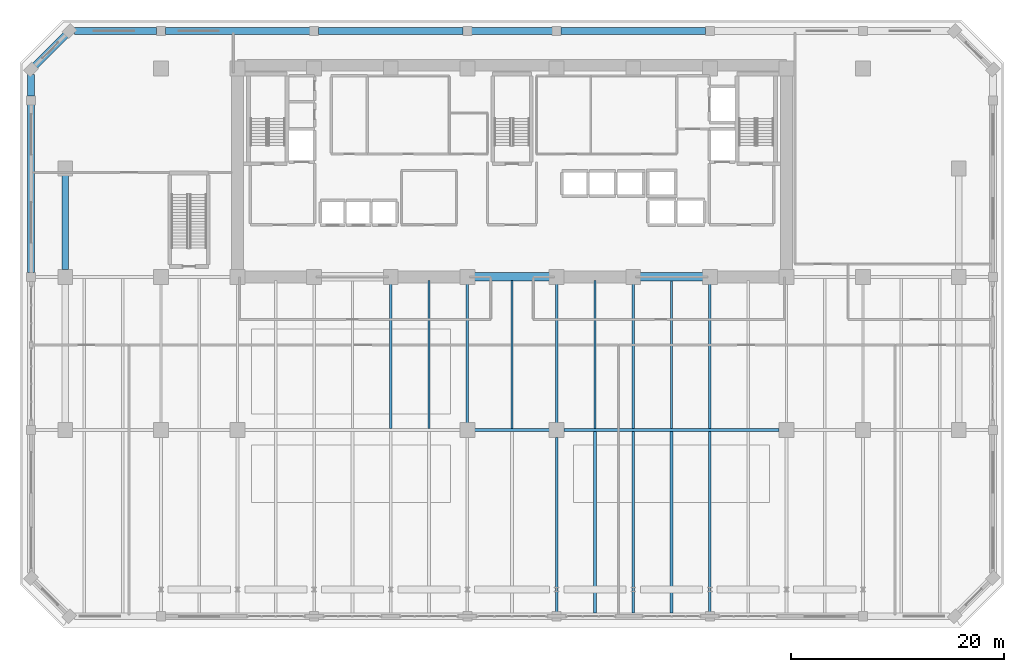
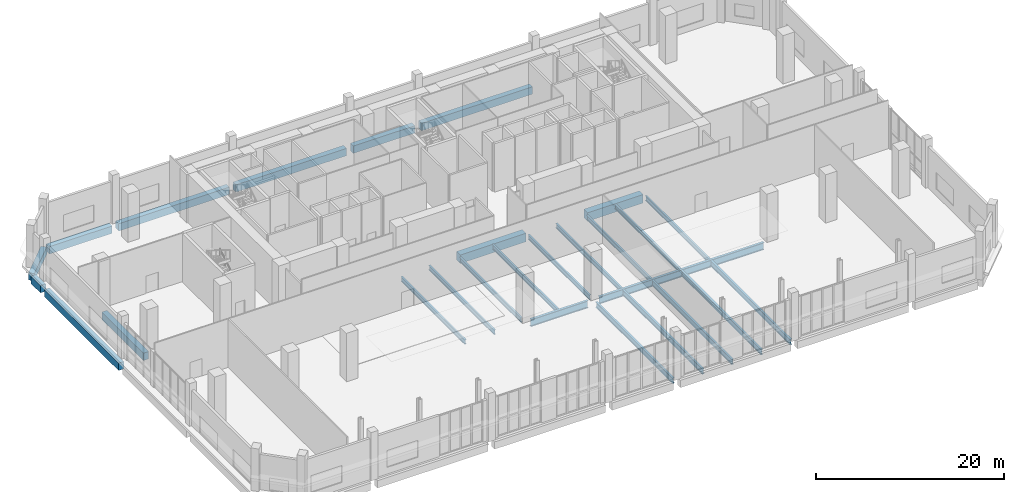
# One storey, part 15 of 29: 27 beams.
"""IFC4 building model written with IfcOpenShell, lengths in metres."""

from ifc_helpers import new_model, si_unit, direction, frame, origin, origin_2d, place, context, subcontext, project, spatial, rectangle, i_section, extrude, material, material_profile, profile_set, type_object, element, save


model = new_model("IFC4")

# Units and contexts
model_context = context("Model", 3, precision=1e-05, world=origin(), true_north=direction((0.0, 1.0)))
body_context = subcontext(model_context, "Body", "Model", "MODEL_VIEW")
ifc_project = project(units=[si_unit("LENGTHUNIT", "METRE"), si_unit("AREAUNIT", "SQUARE_METRE"), si_unit("VOLUMEUNIT", "CUBIC_METRE"), si_unit("PLANEANGLEUNIT", "RADIAN"), si_unit("MASSUNIT", "GRAM", prefix="KILO")], contexts=[model_context])

# Site, building, storey
site_placement = place(None, origin())
site = spatial("IfcSite", under=ifc_project, at=site_placement, CompositionType="ELEMENT")
building_placement = place(site_placement, origin())
building = spatial("IfcBuilding", under=site, at=building_placement, Name="Kaelvorn Grand Hotel", CompositionType="ELEMENT")
storey_placement = place(building_placement, frame((0.0, 0.0, 19.39990234375)))
storey = spatial("IfcBuildingStorey", under=building, at=storey_placement, Name="L03", CompositionType="ELEMENT", Elevation=19.39990234375)

# Beams
ifc_material_1 = material(Name="Steel S355", Category="steel")
ifc_material_profile_1 = material_profile(ifc_material_1, i_section(OverallWidth=0.305419921875, OverallDepth=0.91845703125, WebThickness=0.017333984375, FlangeThickness=0.02783203125, FilletRadius=0.01904296875, at=origin_2d()), Name="UB 914x305x253")
ifc_profile_set_1 = profile_set([ifc_material_profile_1], Name="Steel S355")
beam_type_1 = type_object("IfcBeamType", Name="BM-G-UB914-S355", PredefinedType="BEAM", material=ifc_profile_set_1)
beam_1_placement = place(storey_placement, frame((38.485107421875, 15.0, -0.779052734375), z_axis=(1.0, 0.0, 0.0), x_axis=(0.0, 1.0, 0.0)))
element("IfcBeam", 1, at=beam_1_placement, inside=storey, type_object=beam_type_1, Name="L03 Primary Spine Steel Girder G-15 05", PredefinedType="BEAM", context=body_context, shape_type="SweptSolid", body=[
    extrude(i_section(OverallWidth=0.305419921875, OverallDepth=0.91845703125, WebThickness=0.017333984375, FlangeThickness=0.02783203125, FilletRadius=0.01904296875, at=origin_2d()), origin(), (0.0, 0.0, 1.0), 7.02978515625),
])
beam_2_placement = place(storey_placement, frame((46.885009765625, 15.0, -0.779052734375), z_axis=(1.0, 0.0, 0.0), x_axis=(0.0, 1.0, 0.0)))
element("IfcBeam", 2, at=beam_2_placement, inside=storey, type_object=beam_type_1, Name="L03 Primary Spine Steel Girder G-15 06", PredefinedType="BEAM", context=body_context, shape_type="SweptSolid", body=[
    extrude(i_section(OverallWidth=0.305419921875, OverallDepth=0.91845703125, WebThickness=0.017333984375, FlangeThickness=0.02783203125, FilletRadius=0.01904296875, at=origin_2d()), origin(), (0.0, 0.0, 1.0), 20.22998046875),
])
ifc_material_profile_2 = material_profile(ifc_material_1, i_section(OverallWidth=0.219970703125, OverallDepth=0.60009765625, WebThickness=0.011962890625, FlangeThickness=0.01904296875, FilletRadius=0.02392578125, at=origin_2d()), Name="IPE 600")
ifc_profile_set_2 = profile_set([ifc_material_profile_2], Name="Steel S355")
beam_type_2 = type_object("IfcBeamType", Name="BM-J-IPE600-S355", PredefinedType="JOIST", material=ifc_profile_set_2)
beam_3_placement = place(storey_placement, frame((30.60009765625, 15.1376953125, -0.619873046875), z_axis=(0.0, 1.0, 0.0), x_axis=(-1.0, 0.0, 0.0)))
element("IfcBeam", 3, at=beam_3_placement, inside=storey, type_object=beam_type_2, Name="L03 Composite Floor Joist JM-09", PredefinedType="JOIST", context=body_context, shape_type="SweptSolid", body=[
    extrude(i_section(OverallWidth=0.219970703125, OverallDepth=0.60009765625, WebThickness=0.011962890625, FlangeThickness=0.01904296875, FilletRadius=0.02392578125, at=origin_2d()), origin(), (0.0, 0.0, 1.0), 13.577392578125),
])
beam_4_placement = place(storey_placement, frame((34.199951171875, 15.1376953125, -0.619873046875), z_axis=(0.0, 1.0, 0.0), x_axis=(-1.0, 0.0, 0.0)))
element("IfcBeam", 4, at=beam_4_placement, inside=storey, type_object=beam_type_2, Name="L03 Composite Floor Joist JM-10", PredefinedType="JOIST", context=body_context, shape_type="SweptSolid", body=[
    extrude(i_section(OverallWidth=0.219970703125, OverallDepth=0.60009765625, WebThickness=0.011962890625, FlangeThickness=0.01904296875, FilletRadius=0.02392578125, at=origin_2d()), origin(), (0.0, 0.0, 1.0), 13.92236328125),
])
beam_5_placement = place(storey_placement, frame((37.800048828125, 15.68505859375, -0.619873046875), z_axis=(0.0, 1.0, 0.0), x_axis=(-1.0, 0.0, 0.0)))
element("IfcBeam", 5, at=beam_5_placement, inside=storey, type_object=beam_type_2, Name="L03 Composite Floor Joist JM-11", PredefinedType="JOIST", context=body_context, shape_type="SweptSolid", body=[
    extrude(i_section(OverallWidth=0.219970703125, OverallDepth=0.60009765625, WebThickness=0.011962890625, FlangeThickness=0.01904296875, FilletRadius=0.02392578125, at=origin_2d()), origin(), (0.0, 0.0, 1.0), 13.030029296875),
])
beam_6_placement = place(storey_placement, frame((42.0, 15.1376953125, -0.619873046875), z_axis=(0.0, 1.0, 0.0), x_axis=(-1.0, 0.0, 0.0)))
element("IfcBeam", 6, at=beam_6_placement, inside=storey, type_object=beam_type_2, Name="L03 Composite Floor Joist JM-12", PredefinedType="JOIST", context=body_context, shape_type="SweptSolid", body=[
    extrude(i_section(OverallWidth=0.219970703125, OverallDepth=0.60009765625, WebThickness=0.011962890625, FlangeThickness=0.01904296875, FilletRadius=0.02392578125, at=origin_2d()), origin(), (0.0, 0.0, 1.0), 13.92236328125),
])
beam_7_placement = place(storey_placement, frame((46.199951171875, 15.68505859375, -0.619873046875), z_axis=(0.0, 1.0, 0.0), x_axis=(-1.0, 0.0, 0.0)))
element("IfcBeam", 7, at=beam_7_placement, inside=storey, type_object=beam_type_2, Name="L03 Composite Floor Joist JM-13", PredefinedType="JOIST", context=body_context, shape_type="SweptSolid", body=[
    extrude(i_section(OverallWidth=0.219970703125, OverallDepth=0.60009765625, WebThickness=0.011962890625, FlangeThickness=0.01904296875, FilletRadius=0.02392578125, at=origin_2d()), origin(), (0.0, 0.0, 1.0), 13.030029296875),
])
beam_8_placement = place(storey_placement, frame((49.800048828125, 15.1376953125, -0.619873046875), z_axis=(0.0, 1.0, 0.0), x_axis=(-1.0, 0.0, 0.0)))
element("IfcBeam", 8, at=beam_8_placement, inside=storey, type_object=beam_type_2, Name="L03 Composite Floor Joist JM-14", PredefinedType="JOIST", context=body_context, shape_type="SweptSolid", body=[
    extrude(i_section(OverallWidth=0.219970703125, OverallDepth=0.60009765625, WebThickness=0.011962890625, FlangeThickness=0.01904296875, FilletRadius=0.02392578125, at=origin_2d()), origin(), (0.0, 0.0, 1.0), 13.92236328125),
])
beam_9_placement = place(storey_placement, frame((53.39990234375, 15.1376953125, -0.619873046875), z_axis=(0.0, 1.0, 0.0), x_axis=(-1.0, 0.0, 0.0)))
element("IfcBeam", 9, at=beam_9_placement, inside=storey, type_object=beam_type_2, Name="L03 Composite Floor Joist JM-15", PredefinedType="JOIST", context=body_context, shape_type="SweptSolid", body=[
    extrude(i_section(OverallWidth=0.219970703125, OverallDepth=0.60009765625, WebThickness=0.011962890625, FlangeThickness=0.01904296875, FilletRadius=0.02392578125, at=origin_2d()), origin(), (0.0, 0.0, 1.0), 13.577392578125),
])
beam_10_placement = place(storey_placement, frame((57.0, 15.1376953125, -0.619873046875), z_axis=(0.0, 1.0, 0.0), x_axis=(-1.0, 0.0, 0.0)))
element("IfcBeam", 10, at=beam_10_placement, inside=storey, type_object=beam_type_2, Name="L03 Composite Floor Joist JM-16", PredefinedType="JOIST", context=body_context, shape_type="SweptSolid", body=[
    extrude(i_section(OverallWidth=0.219970703125, OverallDepth=0.60009765625, WebThickness=0.011962890625, FlangeThickness=0.01904296875, FilletRadius=0.02392578125, at=origin_2d()), origin(), (0.0, 0.0, 1.0), 13.92236328125),
])
beam_11_placement = place(storey_placement, frame((60.60009765625, 15.1376953125, -0.619873046875), z_axis=(0.0, 1.0, 0.0), x_axis=(-1.0, 0.0, 0.0)))
element("IfcBeam", 11, at=beam_11_placement, inside=storey, type_object=beam_type_2, Name="L03 Composite Floor Joist JM-17", PredefinedType="JOIST", context=body_context, shape_type="SweptSolid", body=[
    extrude(i_section(OverallWidth=0.219970703125, OverallDepth=0.60009765625, WebThickness=0.011962890625, FlangeThickness=0.01904296875, FilletRadius=0.02392578125, at=origin_2d()), origin(), (0.0, 0.0, 1.0), 13.577392578125),
])
ifc_material_profile_3 = material_profile(ifc_material_1, i_section(OverallWidth=0.25439453125, OverallDepth=0.6875, WebThickness=0.01318359375, FlangeThickness=0.02099609375, FilletRadius=0.01513671875, at=origin_2d()), Name="UB 686x254x152")
ifc_profile_set_3 = profile_set([ifc_material_profile_3], Name="Steel S355")
beam_type_3 = type_object("IfcBeamType", Name="BM-J-UB686-S355", PredefinedType="JOIST", material=ifc_profile_set_3)
beam_12_placement = place(storey_placement, frame((46.199951171875, -2.090087890625, -0.66357421875), z_axis=(0.0, 1.0, 0.0), x_axis=(-1.0, 0.0, 0.0)))
element("IfcBeam", 12, at=beam_12_placement, inside=storey, type_object=beam_type_3, Name="L03 Composite Floor Joist JS-13", PredefinedType="JOIST", context=body_context, shape_type="SweptSolid", body=[
    extrude(i_section(OverallWidth=0.25439453125, OverallDepth=0.6875, WebThickness=0.01318359375, FlangeThickness=0.02099609375, FilletRadius=0.01513671875, at=origin_2d()), origin(), (0.0, 0.0, 1.0), 16.405029296875),
])
for number, where, z_axis, x_axis, name in (
    (13, (49.800048828125, -2.18994140625, -0.66357421875), (0.0, 1.0, 0.0), (-1.0, 0.0, 0.0), "L03 Composite Floor Joist JS-14"),
    (14, (53.39990234375, -2.18994140625, -0.66357421875), (0.0, 1.0, 0.0), (-1.0, 0.0, 0.0), "L03 Composite Floor Joist JS-15"),
    (15, (57.0, -2.18994140625, -0.66357421875), (0.0, 1.0, 0.0), (-1.0, 0.0, 0.0), "L03 Composite Floor Joist JS-16"),
):
    element("IfcBeam", number, at=place(storey_placement, frame(where, z_axis=z_axis, x_axis=x_axis)), inside=storey, type_object=beam_type_3, Name=name, PredefinedType="JOIST", context=body_context, shape_type="SweptSolid", body=[
        extrude(i_section(OverallWidth=0.25439453125, OverallDepth=0.6875, WebThickness=0.01318359375, FlangeThickness=0.02099609375, FilletRadius=0.01513671875, at=origin_2d()), origin(), (0.0, 0.0, 1.0), 17.05224609375),
    ])
beam_13_placement = place(storey_placement, frame((60.60009765625, -2.090087890625, -0.66357421875), z_axis=(0.0, 1.0, 0.0), x_axis=(-1.0, 0.0, 0.0)))
element("IfcBeam", 16, at=beam_13_placement, inside=storey, type_object=beam_type_3, Name="L03 Composite Floor Joist JS-17", PredefinedType="JOIST", context=body_context, shape_type="SweptSolid", body=[
    extrude(i_section(OverallWidth=0.25439453125, OverallDepth=0.6875, WebThickness=0.01318359375, FlangeThickness=0.02099609375, FilletRadius=0.01513671875, at=origin_2d()), origin(), (0.0, 0.0, 1.0), 16.952392578125),
])
ifc_material_2 = material(Name="Concrete C60/75", Category="concrete")
ifc_material_profile_4 = material_profile(ifc_material_2, rectangle(XDim=0.800048828125, YDim=1.10009765625, at=origin_2d()), Name="RC LINTEL 800x1100")
ifc_profile_set_4 = profile_set([ifc_material_profile_4], Name="Concrete C60/75")
beam_type_4 = type_object("IfcBeamType", Name="BM-LIN-800x1100-C60", PredefinedType="LINTEL", material=ifc_profile_set_4)
beam_14_placement = place(storey_placement, frame((37.97998046875, 29.39990234375, -0.869873046875), z_axis=(1.0, 0.0, 0.0), x_axis=(0.0, 1.0, 0.0)))
element("IfcBeam", 17, at=beam_14_placement, inside=storey, type_object=beam_type_4, Name="L03 Rear-Core Coupling Lintel Beam CB1-02", PredefinedType="LINTEL", context=body_context, shape_type="SweptSolid", body=[
    extrude(rectangle(XDim=0.800048828125, YDim=1.10009765625, at=origin_2d()), origin(), (0.0, 0.0, 1.0), 8.0400390625),
])
beam_15_placement = place(storey_placement, frame((53.580078125, 29.39990234375, -0.869873046875), z_axis=(1.0, 0.0, 0.0), x_axis=(0.0, 1.0, 0.0)))
element("IfcBeam", 18, at=beam_15_placement, inside=storey, type_object=beam_type_4, Name="L03 Rear-Core Coupling Lintel Beam CB1-03", PredefinedType="LINTEL", context=body_context, shape_type="SweptSolid", body=[
    extrude(rectangle(XDim=0.800048828125, YDim=1.10009765625, at=origin_2d()), origin(), (0.0, 0.0, 1.0), 6.83984375),
])
ifc_material_profile_5 = material_profile(ifc_material_2, rectangle(XDim=0.64990234375, YDim=0.949951171875, at=origin_2d()), Name="RC SPANDREL 650x950")
ifc_profile_set_5 = profile_set([ifc_material_profile_5], Name="Concrete C60/75")
beam_type_5 = type_object("IfcBeamType", Name="BM-SP-650x950-C60", PredefinedType="SPANDREL", material=ifc_profile_set_5)
beam_16_placement = place(storey_placement, frame((0.885009765625, 52.5, -0.794921875), z_axis=(1.0, 0.0, 0.0), x_axis=(0.0, 1.0, 0.0)))
element("IfcBeam", 19, at=beam_16_placement, inside=storey, type_object=beam_type_5, Name="L03 North Perimeter Spandrel 01", PredefinedType="SPANDREL", context=body_context, shape_type="SweptSolid", body=[
    extrude(rectangle(XDim=0.64990234375, YDim=0.949951171875, at=origin_2d()), origin(), (0.0, 0.0, 1.0), 7.705078125),
])
beam_17_placement = place(storey_placement, frame((9.409912109375, 52.5, -0.794921875), z_axis=(1.0, 0.0, 0.0), x_axis=(0.0, 1.0, 0.0)))
element("IfcBeam", 20, at=beam_17_placement, inside=storey, type_object=beam_type_5, Name="L03 North Perimeter Spandrel 02", PredefinedType="SPANDREL", context=body_context, shape_type="SweptSolid", body=[
    extrude(rectangle(XDim=0.64990234375, YDim=0.949951171875, at=origin_2d()), origin(), (0.0, 0.0, 1.0), 13.580078125),
])
beam_18_placement = place(storey_placement, frame((23.81005859375, 52.5, -0.794921875), z_axis=(1.0, 0.0, 0.0), x_axis=(0.0, 1.0, 0.0)))
element("IfcBeam", 21, at=beam_18_placement, inside=storey, type_object=beam_type_5, Name="L03 North Perimeter Spandrel 03", PredefinedType="SPANDREL", context=body_context, shape_type="SweptSolid", body=[
    extrude(rectangle(XDim=0.64990234375, YDim=0.949951171875, at=origin_2d()), origin(), (0.0, 0.0, 1.0), 13.579833984375),
])
beam_19_placement = place(storey_placement, frame((38.2099609375, 52.5, -0.794921875), z_axis=(1.0, 0.0, 0.0), x_axis=(0.0, 1.0, 0.0)))
element("IfcBeam", 22, at=beam_19_placement, inside=storey, type_object=beam_type_5, Name="L03 North Perimeter Spandrel 04", PredefinedType="SPANDREL", context=body_context, shape_type="SweptSolid", body=[
    extrude(rectangle(XDim=0.64990234375, YDim=0.949951171875, at=origin_2d()), origin(), (0.0, 0.0, 1.0), 7.580078125),
])
beam_20_placement = place(storey_placement, frame((46.610107421875, 52.5, -0.794921875), z_axis=(1.0, 0.0, 0.0), x_axis=(0.0, 1.0, 0.0)))
element("IfcBeam", 23, at=beam_20_placement, inside=storey, type_object=beam_type_5, Name="L03 North Perimeter Spandrel 05", PredefinedType="SPANDREL", context=body_context, shape_type="SweptSolid", body=[
    extrude(rectangle(XDim=0.64990234375, YDim=0.949951171875, at=origin_2d()), origin(), (0.0, 0.0, 1.0), 13.579833984375),
])
beam_21_placement = place(storey_placement, frame((-3.199951171875, 29.81005859375, -0.794921875), z_axis=(0.0, 1.0, 0.0), x_axis=(-1.0, 0.0, 0.0)))
element("IfcBeam", 24, at=beam_21_placement, inside=storey, type_object=beam_type_5, Name="L03 West Perimeter Spandrel 03", PredefinedType="SPANDREL", context=body_context, shape_type="SweptSolid", body=[
    extrude(rectangle(XDim=0.64990234375, YDim=0.949951171875, at=origin_2d()), origin(), (0.0, 0.0, 1.0), 15.780029296875),
])
beam_22_placement = place(storey_placement, frame((-3.199951171875, 46.409912109375, -0.794921875), z_axis=(0.0, 1.0, 0.0), x_axis=(-1.0, 0.0, 0.0)))
element("IfcBeam", 25, at=beam_22_placement, inside=storey, type_object=beam_type_5, Name="L03 West Perimeter Spandrel 04", PredefinedType="SPANDREL", context=body_context, shape_type="SweptSolid", body=[
    extrude(rectangle(XDim=0.64990234375, YDim=0.949951171875, at=origin_2d()), origin(), (0.0, 0.0, 1.0), 2.005126953125),
])
beam_23_placement = place(storey_placement, frame((0.39990234375, 52.5, -0.794921875), z_axis=(-0.707082803744, -0.707130757816, 0.0), x_axis=(0.707130757816, -0.707082803744, 0.0)))
element("IfcBeam", 26, at=beam_23_placement, inside=storey, type_object=beam_type_5, Name="L03 Chamfer Spandrel Beam 3", PredefinedType="SPANDREL", context=body_context, shape_type="SweptSolid", body=[
    extrude(rectangle(XDim=0.64990234375, YDim=0.949951171875, at=origin_2d()), origin(), (0.0, 0.0, 1.0), 5.091064453125),
])
beam_24_placement = place(storey_placement, frame((0.0, 30.0849609375, -0.794921875), z_axis=(0.0, 1.0, 0.0), x_axis=(-1.0, 0.0, 0.0)))
element("IfcBeam", 27, at=beam_24_placement, inside=storey, type_object=beam_type_5, Name="L03 Tower Wing Girder TW 02", PredefinedType="SPANDREL", context=body_context, shape_type="SweptSolid", body=[
    extrude(rectangle(XDim=0.64990234375, YDim=0.949951171875, at=origin_2d()), origin(), (0.0, 0.0, 1.0), 8.830078125),
])

save(model, "model.ifc")
